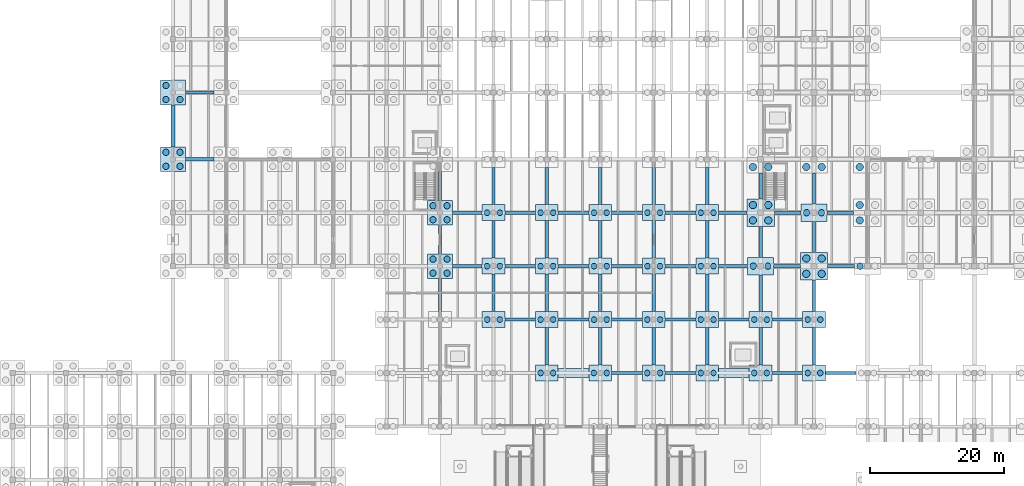
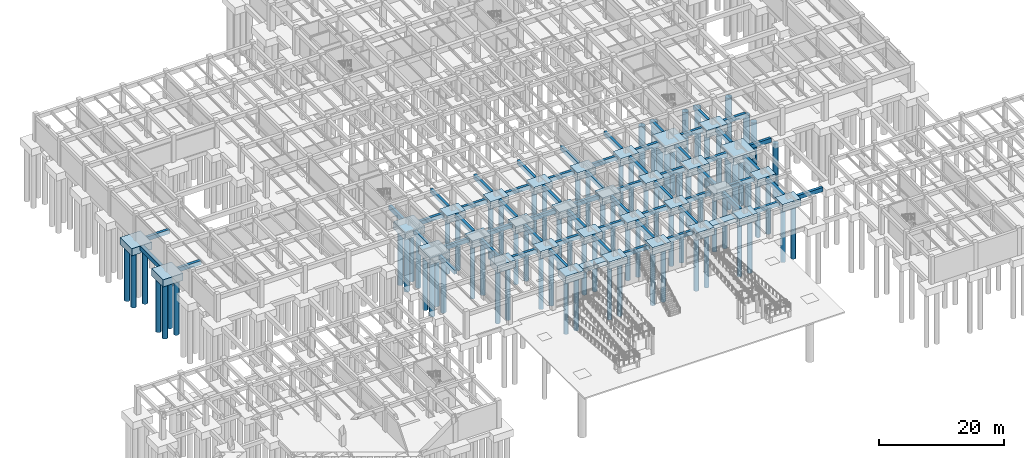
# One storey, part 3 of 44: 92 footings, 81 piles.
"""IFC4 building model written with IfcOpenShell, lengths in metres."""

import ifcopenshell
import ifcopenshell.guid

model = None  # the IFC model being written
_history = None  # IfcOwnerHistory: only IFC2X3 demands one
_inside = {}  # id of a spatial element -> (the spatial element, [elements in it])
_under = {}  # id of a project, library or spatial element -> (it, [spatial elements below it])
_declared = {}  # id of a project -> (the project, [libraries it declares])
_typed = {}  # id of a type object -> (the type object, [elements of that type])
_made_of = {}  # id of a material, layer set ... -> (it, [elements and type objects made of it])


def new_model(schema):
    """Start an empty IFC model of exactly this schema.

    Asked for "IFC4X3", IfcOpenShell would pick the latest addendum, in which some entities
    have other attributes; the version numbers below select the first issue.
    IFC2X3 requires an IfcOwnerHistory on every rooted entity: one is made here for all.
    """
    global model, _history
    if schema == "IFC4X3":
        model = ifcopenshell.file(schema_version=(4, 3, 0, 0))
    else:
        model = ifcopenshell.file(schema=schema)
    _inside.clear()
    _under.clear()
    _declared.clear()
    _typed.clear()
    _made_of.clear()
    _history = None
    if model.schema == "IFC2X3":
        org = make("IfcOrganization", Name="unknown")
        user = make(
            "IfcPersonAndOrganization",
            ThePerson=make("IfcPerson", FamilyName="unknown"),
            TheOrganization=org,
        )
        app = make(
            "IfcApplication",
            ApplicationDeveloper=org,
            Version="unknown",
            ApplicationFullName="unknown",
            ApplicationIdentifier="unknown",
        )
        _history = make(
            "IfcOwnerHistory",
            OwningUser=user,
            OwningApplication=app,
            ChangeAction="ADDED",
            CreationDate=0,
        )
    return model


def make(cls, **values):
    """One entity of the class cls with the attributes given. An attribute that is None is left unset."""
    return model.create_entity(
        cls, **{name: value for name, value in values.items() if value is not None}
    )


def rooted(cls, **values):
    """An entity with a GlobalId (a new one), such as an element, a storey or a relation."""
    return make(cls, GlobalId=ifcopenshell.guid.new(), OwnerHistory=_history, **values)


def si_unit(unit_type, name, prefix=None):
    """IfcSIUnit, for example si_unit("LENGTHUNIT", "METRE", prefix="MILLI")."""
    return make("IfcSIUnit", UnitType=unit_type, Prefix=prefix, Name=name)


def assignment(units):
    """IfcUnitAssignment: the units of a project."""
    return None if units is None else make("IfcUnitAssignment", Units=units)


def point(xyz):
    """IfcCartesianPoint."""
    return None if xyz is None else make("IfcCartesianPoint", Coordinates=xyz)


def direction(xyz):
    """IfcDirection."""
    return None if xyz is None else make("IfcDirection", DirectionRatios=xyz)


def frame(location, z_axis=None, x_axis=None):
    """IfcAxis2Placement3D, a coordinate frame: its origin and axes. An axis left out is left unset."""
    return make(
        "IfcAxis2Placement3D",
        Location=point(location),
        Axis=direction(z_axis),
        RefDirection=direction(x_axis),
    )


def frame_2d(location, x_axis=None):
    """IfcAxis2Placement2D, a coordinate frame in the plane: its origin and x axis."""
    return make(
        "IfcAxis2Placement2D", Location=point(location), RefDirection=direction(x_axis)
    )


def origin():
    """The frame at (0, 0, 0) with its axes left unset."""
    return frame((0.0, 0.0, 0.0))


def origin_2d():
    """The frame at (0, 0) in the plane with its x axis left unset."""
    return frame_2d((0.0, 0.0))


def place(relative_to, where):
    """IfcLocalPlacement: puts the frame where relative to a parent placement (None: the world)."""
    return make(
        "IfcLocalPlacement", PlacementRelTo=relative_to, RelativePlacement=where
    )


def context(
    kind, dimensions, precision=None, world=None, true_north=None, identifier=None
):
    """IfcGeometricRepresentationContext, for example the 3D "Model" context."""
    return make(
        "IfcGeometricRepresentationContext",
        ContextIdentifier=identifier,
        ContextType=kind,
        CoordinateSpaceDimension=dimensions,
        Precision=precision,
        WorldCoordinateSystem=world,
        TrueNorth=true_north,
    )


def subcontext(parent, identifier, kind, view, scale=None):
    """IfcGeometricRepresentationSubContext, for example "Body" below "Model"."""
    return make(
        "IfcGeometricRepresentationSubContext",
        ContextIdentifier=identifier,
        ContextType=kind,
        ParentContext=parent,
        TargetScale=scale,
        TargetView=view,
    )


def project(units=None, contexts=None):
    """IfcProject with its units and contexts."""
    return rooted(
        "IfcProject",
        Name="project",
        RepresentationContexts=contexts,
        UnitsInContext=assignment(units),
    )


def spatial(cls, under=None, at=None, **own):
    """A site, building, storey or space (cls), placed at a placement, below another one or the project."""
    s = rooted(cls, ObjectPlacement=at, **own)
    if under is not None:
        _under.setdefault(under.id(), (under, []))[1].append(s)
    return s


def profile(cls, at=None, kind="AREA", **sizes):
    """A parametric profile (cls). Its sizes go by their IFC names, for example OverallWidth=200.0."""
    return make(cls, ProfileType=kind, Position=at, **sizes)


def rectangle(**sizes):
    """IfcRectangleProfileDef."""
    return profile("IfcRectangleProfileDef", **sizes)


def circle(**sizes):
    """IfcCircleProfileDef."""
    return profile("IfcCircleProfileDef", **sizes)


def extrude(swept, where, along, depth):
    """IfcExtrudedAreaSolid: the profile swept, set in the frame where, extruded along a direction by depth."""
    return make(
        "IfcExtrudedAreaSolid",
        SweptArea=swept,
        Position=where,
        ExtrudedDirection=direction(along),
        Depth=depth,
    )


def shape(context_of_items, identifier, shape_type, items):
    """IfcShapeRepresentation: the items that make up one representation, for example the "Body"."""
    return make(
        "IfcShapeRepresentation",
        ContextOfItems=context_of_items,
        RepresentationIdentifier=identifier,
        RepresentationType=shape_type,
        Items=items,
    )


def material(Name=None, Category=None):
    """IfcMaterial."""
    return make("IfcMaterial", Name=Name, Category=Category)


def material_profile(
    of_material, cross_section, Name=None, Category=None, Priority=None
):
    """IfcMaterialProfile: a cross section and its material."""
    return make(
        "IfcMaterialProfile",
        Name=Name,
        Material=of_material,
        Profile=cross_section,
        Priority=Priority,
        Category=Category,
    )


def profile_set(profiles, Name=None, composite=None):
    """IfcMaterialProfileSet."""
    return make(
        "IfcMaterialProfileSet",
        Name=Name,
        MaterialProfiles=profiles,
        CompositeProfile=composite,
    )


def made_of(thing, what):
    """Note that an element or type object is made of a material, layer set ...; save() writes the relation."""
    if what is not None:
        _made_of.setdefault(what.id(), (what, []))[1].append(thing)
    return thing


def type_object(cls, material=None, **own):
    """A type object (cls), such as IfcWallType, which elements share."""
    return made_of(rooted(cls, **own), material)


def element(
    cls,
    number,
    at=None,
    inside=None,
    cuts=None,
    type_object=None,
    material=None,
    context=None,
    identifier="Body",
    shape_type=None,
    held_by="IfcProductDefinitionShape",
    body=None,
    shapes=None,
    **own,
):
    """One element of the class cls, such as IfcWall. Its Tag is "e" and its number.

    at: its placement. inside: the storey or other place that contains it. cuts: it is an
    opening in that element (IfcRelVoidsElement). A single representation is given by context,
    identifier, shape_type and body (its items); several are given by shapes. held_by: the class
    of the entity that holds the representations. save() writes the other relations.
    """
    e = rooted(cls, Tag="e%d" % number, ObjectPlacement=at, **own)
    if body is not None:
        shapes = [shape(context, identifier, shape_type, body)]
    if shapes is not None:
        e.Representation = make(held_by, Representations=shapes)
    if inside is not None:
        _inside.setdefault(inside.id(), (inside, []))[1].append(e)
    if cuts is not None:
        rooted(
            "IfcRelVoidsElement", RelatingBuildingElement=cuts, RelatedOpeningElement=e
        )
    if type_object is not None:
        _typed.setdefault(type_object.id(), (type_object, []))[1].append(e)
    return made_of(e, material)


def aggregate(whole, parts):
    """IfcRelAggregates: a whole, such as a stair, and the parts it consists of."""
    return rooted("IfcRelAggregates", RelatingObject=whole, RelatedObjects=parts)


def save(model, path):
    """Write the relations noted so far, then the file.

    IfcRelAggregates (storeys below a building ...), IfcRelContainedInSpatialStructure (elements
    in a storey), IfcRelDefinesByType, IfcRelAssociatesMaterial and IfcRelDeclares: one each for
    every whole, place, type object, material and project.
    """
    for whole, parts in _under.values():
        aggregate(whole, parts)
    for where, things in _inside.values():
        rooted(
            "IfcRelContainedInSpatialStructure",
            RelatedElements=things,
            RelatingStructure=where,
        )
    for kind, things in _typed.values():
        rooted("IfcRelDefinesByType", RelatedObjects=things, RelatingType=kind)
    for what, things in _made_of.values():
        rooted("IfcRelAssociatesMaterial", RelatedObjects=things, RelatingMaterial=what)
    for by, libraries in _declared.values():
        rooted("IfcRelDeclares", RelatingContext=by, RelatedDefinitions=libraries)
    model.write(path)


model = new_model("IFC4")

# Units and contexts
model_context = context("Model", 3, precision=1e-05, world=origin(), true_north=direction((0.0, 1.0)))
body_context = subcontext(model_context, "Body", "Model", "MODEL_VIEW")
ifc_project = project(units=[si_unit("LENGTHUNIT", "METRE"), si_unit("AREAUNIT", "SQUARE_METRE"), si_unit("VOLUMEUNIT", "CUBIC_METRE"), si_unit("PLANEANGLEUNIT", "RADIAN"), si_unit("MASSUNIT", "GRAM", prefix="KILO")], contexts=[model_context])

# Site, building, storey
site_placement = place(None, origin())
site = spatial("IfcSite", under=ifc_project, at=site_placement, CompositionType="ELEMENT")
building_placement = place(site_placement, origin())
building = spatial("IfcBuilding", under=site, at=building_placement, Name="Pecanmere Concourse Central Library", CompositionType="ELEMENT")
storey_placement = place(building_placement, frame((0.0, 0.0, -5.39990234375)))
storey = spatial("IfcBuildingStorey", under=building, at=storey_placement, Name="B1", CompositionType="ELEMENT", Elevation=-5.39990234375)

# Footings
ifc_material_1 = material(Name="Concrete C40/50", Category="concrete")
ifc_material_profile_1 = material_profile(ifc_material_1, rectangle(XDim=0.5, YDim=0.800048828125, at=origin_2d()), Name="RC 500x800")
ifc_profile_set_1 = profile_set([ifc_material_profile_1], Name="Concrete C40/50")
footing_type_1 = type_object("IfcFootingType", Name="GBEAM_500x800", PredefinedType="FOOTING_BEAM", material=ifc_profile_set_1)
for number, where, z_axis, x_axis, name in (
    (1, (92.0, 32.0, -0.80029296875), (0.0, 0.0, 1.0), (1.0, 0.0, 0.0), "Foundation Tie Beam X-070"),
    (2, (100.0, 32.0, -0.80029296875), (0.0, 0.0, 1.0), (1.0, 0.0, 0.0), "Foundation Tie Beam X-071"),
    (3, (116.0, 32.0, -0.80029296875), (0.0, 0.0, 1.0), (1.0, 0.0, 0.0), "Foundation Tie Beam X-073"),
    (4, (124.0, 32.0, -0.80029296875), (0.0, 0.0, 1.0), (1.0, 0.0, 0.0), "Foundation Tie Beam X-074"),
    (5, (76.0, 40.0, -0.80029296875), (0.0, 0.0, 1.0), (1.0, 0.0, 0.0), "Foundation Tie Beam X-083"),
    (6, (84.0, 40.0, -0.80029296875), (0.0, 0.0, 1.0), (1.0, 0.0, 0.0), "Foundation Tie Beam X-084"),
    (7, (92.0, 40.0, -0.80029296875), (0.0, 0.0, 1.0), (1.0, 0.0, 0.0), "Foundation Tie Beam X-085"),
    (8, (100.0, 40.0, -0.80029296875), (0.0, 0.0, 1.0), (1.0, 0.0, 0.0), "Foundation Tie Beam X-086"),
    (9, (108.0, 40.0, -0.80029296875), (0.0, 0.0, 1.0), (1.0, 0.0, 0.0), "Foundation Tie Beam X-087"),
    (10, (116.0, 40.0, -0.80029296875), (0.0, 0.0, 1.0), (1.0, 0.0, 0.0), "Foundation Tie Beam X-088"),
):
    element("IfcFooting", number, at=place(storey_placement, frame(where, z_axis=z_axis, x_axis=x_axis)), inside=storey, type_object=footing_type_1, Name=name, PredefinedType="FOOTING_BEAM", context=body_context, shape_type="SweptSolid", body=[
        extrude(rectangle(XDim=4.60009765625, YDim=0.5, at=origin_2d()), origin(), (0.0, 0.0, 1.0), 0.800048828125),
    ])
footing_1_placement = place(storey_placement, frame((68.074951171875, 48.0, -0.80029296875), z_axis=(0.0, 0.0, 1.0), x_axis=(1.0, 0.0, 0.0)))
element("IfcFooting", 11, at=footing_1_placement, inside=storey, type_object=footing_type_1, Name="Foundation Tie Beam X-094", PredefinedType="FOOTING_BEAM", context=body_context, shape_type="SweptSolid", body=[
    extrude(rectangle(XDim=4.449951171875, YDim=0.5, at=origin_2d()), origin(), (0.0, 0.0, 1.0), 0.800048828125),
])
for number, where, z_axis, x_axis, name in (
    (12, (76.0, 48.0, -0.80029296875), (0.0, 0.0, 1.0), (1.0, 0.0, 0.0), "Foundation Tie Beam X-095"),
    (13, (84.0, 48.0, -0.80029296875), (0.0, 0.0, 1.0), (1.0, 0.0, 0.0), "Foundation Tie Beam X-096"),
    (14, (92.0, 48.0, -0.80029296875), (0.0, 0.0, 1.0), (1.0, 0.0, 0.0), "Foundation Tie Beam X-097"),
    (15, (100.0, 48.0, -0.80029296875), (0.0, 0.0, 1.0), (1.0, 0.0, 0.0), "Foundation Tie Beam X-098"),
):
    element("IfcFooting", number, at=place(storey_placement, frame(where, z_axis=z_axis, x_axis=x_axis)), inside=storey, type_object=footing_type_1, Name=name, PredefinedType="FOOTING_BEAM", context=body_context, shape_type="SweptSolid", body=[
        extrude(rectangle(XDim=4.60009765625, YDim=0.5, at=origin_2d()), origin(), (0.0, 0.0, 1.0), 0.800048828125),
    ])
footing_2_placement = place(storey_placement, frame((107.875, 48.0, -0.80029296875), z_axis=(0.0, 0.0, 1.0), x_axis=(1.0, 0.0, 0.0)))
element("IfcFooting", 16, at=footing_2_placement, inside=storey, type_object=footing_type_1, Name="Foundation Tie Beam X-099", PredefinedType="FOOTING_BEAM", context=body_context, shape_type="SweptSolid", body=[
    extrude(rectangle(XDim=4.35009765625, YDim=0.5, at=origin_2d()), origin(), (0.0, 0.0, 1.0), 0.800048828125),
])
for number, where, z_axis, x_axis, name in (
    (17, (115.949951171875, 48.0, -0.80029296875), (0.0, 0.0, 1.0), (1.0, 0.0, 0.0), "Foundation Tie Beam X-100"),
    (18, (124.050048828125, 48.0, -0.80029296875), (0.0, 0.0, 1.0), (1.0, 0.0, 0.0), "Foundation Tie Beam X-101"),
):
    element("IfcFooting", number, at=place(storey_placement, frame(where, z_axis=z_axis, x_axis=x_axis)), inside=storey, type_object=footing_type_1, Name=name, PredefinedType="FOOTING_BEAM", context=body_context, shape_type="SweptSolid", body=[
        extrude(rectangle(XDim=4.0, YDim=0.5, at=origin_2d()), origin(), (0.0, 0.0, 1.0), 0.800048828125),
    ])
footing_3_placement = place(storey_placement, frame((68.074951171875, 56.0, -0.80029296875), z_axis=(0.0, 0.0, 1.0), x_axis=(1.0, 0.0, 0.0)))
element("IfcFooting", 19, at=footing_3_placement, inside=storey, type_object=footing_type_1, Name="Foundation Tie Beam X-110", PredefinedType="FOOTING_BEAM", context=body_context, shape_type="SweptSolid", body=[
    extrude(rectangle(XDim=4.449951171875, YDim=0.5, at=origin_2d()), origin(), (0.0, 0.0, 1.0), 0.800048828125),
])
for number, where, z_axis, x_axis, name in (
    (20, (76.0, 56.0, -0.80029296875), (0.0, 0.0, 1.0), (1.0, 0.0, 0.0), "Foundation Tie Beam X-111"),
    (21, (84.0, 56.0, -0.80029296875), (0.0, 0.0, 1.0), (1.0, 0.0, 0.0), "Foundation Tie Beam X-112"),
    (22, (92.0, 56.0, -0.80029296875), (0.0, 0.0, 1.0), (1.0, 0.0, 0.0), "Foundation Tie Beam X-113"),
    (23, (100.0, 56.0, -0.80029296875), (0.0, 0.0, 1.0), (1.0, 0.0, 0.0), "Foundation Tie Beam X-114"),
):
    element("IfcFooting", number, at=place(storey_placement, frame(where, z_axis=z_axis, x_axis=x_axis)), inside=storey, type_object=footing_type_1, Name=name, PredefinedType="FOOTING_BEAM", context=body_context, shape_type="SweptSolid", body=[
        extrude(rectangle(XDim=4.60009765625, YDim=0.5, at=origin_2d()), origin(), (0.0, 0.0, 1.0), 0.800048828125),
    ])
footing_4_placement = place(storey_placement, frame((107.824951171875, 56.0, -0.80029296875), z_axis=(0.0, 0.0, 1.0), x_axis=(1.0, 0.0, 0.0)))
element("IfcFooting", 24, at=footing_4_placement, inside=storey, type_object=footing_type_1, Name="Foundation Tie Beam X-115", PredefinedType="FOOTING_BEAM", context=body_context, shape_type="SweptSolid", body=[
    extrude(rectangle(XDim=4.25, YDim=0.5, at=origin_2d()), origin(), (0.0, 0.0, 1.0), 0.800048828125),
])
for number, where, z_axis, x_axis, name in (
    (25, (116.050048828125, 56.0, -0.80029296875), (0.0, 0.0, 1.0), (1.0, 0.0, 0.0), "Foundation Tie Beam X-116"),
    (26, (123.949951171875, 56.0, -0.80029296875), (0.0, 0.0, 1.0), (1.0, 0.0, 0.0), "Foundation Tie Beam X-117"),
):
    element("IfcFooting", number, at=place(storey_placement, frame(where, z_axis=z_axis, x_axis=x_axis)), inside=storey, type_object=footing_type_1, Name=name, PredefinedType="FOOTING_BEAM", context=body_context, shape_type="SweptSolid", body=[
        extrude(rectangle(XDim=4.0, YDim=0.5, at=origin_2d()), origin(), (0.0, 0.0, 1.0), 0.800048828125),
    ])
for number, where, z_axis, x_axis, name in (
    (27, (28.0, 64.0, -0.80029296875), (0.0, 0.0, 1.0), (1.0, 0.0, 0.0), "Foundation Tie Beam X-121"),
    (28, (28.0, 74.0, -0.80029296875), (0.0, 0.0, 1.0), (1.0, 0.0, 0.0), "Foundation Tie Beam X-137"),
):
    element("IfcFooting", number, at=place(storey_placement, frame(where, z_axis=z_axis, x_axis=x_axis)), inside=storey, type_object=footing_type_1, Name=name, PredefinedType="FOOTING_BEAM", context=body_context, shape_type="SweptSolid", body=[
        extrude(rectangle(XDim=4.300048828125, YDim=0.5, at=origin_2d()), origin(), (0.0, 0.0, 1.0), 0.800048828125),
    ])
footing_5_placement = place(storey_placement, frame((64.0, 43.675048828125, -0.80029296875), z_axis=(0.0, 0.0, 1.0), x_axis=(0.0, 1.0, 0.0)))
element("IfcFooting", 29, at=footing_5_placement, inside=storey, type_object=footing_type_1, Name="Foundation Tie Beam Y-290", PredefinedType="FOOTING_BEAM", context=body_context, shape_type="SweptSolid", body=[
    extrude(rectangle(XDim=4.949951171875, YDim=0.5, at=origin_2d()), origin(), (0.0, 0.0, 1.0), 0.800048828125),
])
for number, where, z_axis, x_axis, name in (
    (30, (64.0, 52.0, -0.80029296875), (0.0, 0.0, 1.0), (0.0, 1.0, 0.0), "Foundation Tie Beam Y-291"),
    (31, (64.0, 60.0, -0.80029296875), (0.0, 0.0, 1.0), (0.0, 1.0, 0.0), "Foundation Tie Beam Y-292"),
):
    element("IfcFooting", number, at=place(storey_placement, frame(where, z_axis=z_axis, x_axis=x_axis)), inside=storey, type_object=footing_type_1, Name=name, PredefinedType="FOOTING_BEAM", context=body_context, shape_type="SweptSolid", body=[
        extrude(rectangle(XDim=4.300048828125, YDim=0.5, at=origin_2d()), origin(), (0.0, 0.0, 1.0), 0.800048828125),
    ])
for number, where, z_axis, x_axis, name in (
    (32, (72.0, 44.0, -0.80029296875), (0.0, 0.0, 1.0), (0.0, 1.0, 0.0), "Foundation Tie Beam Y-300"),
    (33, (72.0, 52.0, -0.80029296875), (0.0, 0.0, 1.0), (0.0, 1.0, 0.0), "Foundation Tie Beam Y-301"),
    (34, (72.0, 60.0, -0.80029296875), (0.0, 0.0, 1.0), (0.0, 1.0, 0.0), "Foundation Tie Beam Y-302"),
    (35, (80.0, 36.0, -0.80029296875), (0.0, 0.0, 1.0), (0.0, 1.0, 0.0), "Foundation Tie Beam Y-311"),
    (36, (80.0, 44.0, -0.80029296875), (0.0, 0.0, 1.0), (0.0, 1.0, 0.0), "Foundation Tie Beam Y-312"),
    (37, (80.0, 52.0, -0.80029296875), (0.0, 0.0, 1.0), (0.0, 1.0, 0.0), "Foundation Tie Beam Y-313"),
    (38, (80.0, 60.0, -0.80029296875), (0.0, 0.0, 1.0), (0.0, 1.0, 0.0), "Foundation Tie Beam Y-314"),
    (39, (88.0, 36.0, -0.80029296875), (0.0, 0.0, 1.0), (0.0, 1.0, 0.0), "Foundation Tie Beam Y-323"),
    (40, (88.0, 44.0, -0.80029296875), (0.0, 0.0, 1.0), (0.0, 1.0, 0.0), "Foundation Tie Beam Y-324"),
    (41, (88.0, 52.0, -0.80029296875), (0.0, 0.0, 1.0), (0.0, 1.0, 0.0), "Foundation Tie Beam Y-325"),
    (42, (88.0, 60.0, -0.80029296875), (0.0, 0.0, 1.0), (0.0, 1.0, 0.0), "Foundation Tie Beam Y-326"),
    (43, (96.0, 36.0, -0.80029296875), (0.0, 0.0, 1.0), (0.0, 1.0, 0.0), "Foundation Tie Beam Y-335"),
    (44, (96.0, 44.0, -0.80029296875), (0.0, 0.0, 1.0), (0.0, 1.0, 0.0), "Foundation Tie Beam Y-336"),
    (45, (96.0, 52.0, -0.80029296875), (0.0, 0.0, 1.0), (0.0, 1.0, 0.0), "Foundation Tie Beam Y-337"),
    (46, (96.0, 60.0, -0.80029296875), (0.0, 0.0, 1.0), (0.0, 1.0, 0.0), "Foundation Tie Beam Y-338"),
    (47, (104.0, 36.0, -0.80029296875), (0.0, 0.0, 1.0), (0.0, 1.0, 0.0), "Foundation Tie Beam Y-347"),
    (48, (104.0, 44.0, -0.80029296875), (0.0, 0.0, 1.0), (0.0, 1.0, 0.0), "Foundation Tie Beam Y-348"),
    (49, (104.0, 52.0, -0.80029296875), (0.0, 0.0, 1.0), (0.0, 1.0, 0.0), "Foundation Tie Beam Y-349"),
    (50, (104.0, 60.0, -0.80029296875), (0.0, 0.0, 1.0), (0.0, 1.0, 0.0), "Foundation Tie Beam Y-350"),
    (51, (112.0, 36.0, -0.80029296875), (0.0, 0.0, 1.0), (0.0, 1.0, 0.0), "Foundation Tie Beam Y-359"),
):
    element("IfcFooting", number, at=place(storey_placement, frame(where, z_axis=z_axis, x_axis=x_axis)), inside=storey, type_object=footing_type_1, Name=name, PredefinedType="FOOTING_BEAM", context=body_context, shape_type="SweptSolid", body=[
        extrude(rectangle(XDim=5.60009765625, YDim=0.5, at=origin_2d()), origin(), (0.0, 0.0, 1.0), 0.800048828125),
    ])
footing_6_placement = place(storey_placement, frame((112.0, 43.949951171875, -0.80029296875), z_axis=(0.0, 0.0, 1.0), x_axis=(0.0, 1.0, 0.0)))
element("IfcFooting", 52, at=footing_6_placement, inside=storey, type_object=footing_type_1, Name="Foundation Tie Beam Y-360", PredefinedType="FOOTING_BEAM", context=body_context, shape_type="SweptSolid", body=[
    extrude(rectangle(XDim=5.5, YDim=0.5, at=origin_2d()), origin(), (0.0, 0.0, 1.0), 0.800048828125),
])
footing_7_placement = place(storey_placement, frame((112.0, 51.625, -0.80029296875), z_axis=(0.0, 0.0, 1.0), x_axis=(0.0, 1.0, 0.0)))
element("IfcFooting", 53, at=footing_7_placement, inside=storey, type_object=footing_type_1, Name="Foundation Tie Beam Y-361", PredefinedType="FOOTING_BEAM", context=body_context, shape_type="SweptSolid", body=[
    extrude(rectangle(XDim=4.64990234375, YDim=0.5, at=origin_2d()), origin(), (0.0, 0.0, 1.0), 0.800048828125),
])
footing_8_placement = place(storey_placement, frame((112.0, 60.0, -0.80029296875), z_axis=(0.0, 0.0, 1.0), x_axis=(0.0, 1.0, 0.0)))
element("IfcFooting", 54, at=footing_8_placement, inside=storey, type_object=footing_type_1, Name="Foundation Tie Beam Y-362", PredefinedType="FOOTING_BEAM", context=body_context, shape_type="SweptSolid", body=[
    extrude(rectangle(XDim=3.89990234375, YDim=0.5, at=origin_2d()), origin(), (0.0, 0.0, 1.0), 0.800048828125),
])
footing_9_placement = place(storey_placement, frame((120.0, 36.0, -0.80029296875), z_axis=(0.0, 0.0, 1.0), x_axis=(0.0, 1.0, 0.0)))
element("IfcFooting", 55, at=footing_9_placement, inside=storey, type_object=footing_type_1, Name="Foundation Tie Beam Y-369", PredefinedType="FOOTING_BEAM", context=body_context, shape_type="SweptSolid", body=[
    extrude(rectangle(XDim=5.60009765625, YDim=0.5, at=origin_2d()), origin(), (0.0, 0.0, 1.0), 0.800048828125),
])
footing_10_placement = place(storey_placement, frame((120.0, 43.574951171875, -0.80029296875), z_axis=(0.0, 0.0, 1.0), x_axis=(0.0, 1.0, 0.0)))
element("IfcFooting", 56, at=footing_10_placement, inside=storey, type_object=footing_type_1, Name="Foundation Tie Beam Y-370", PredefinedType="FOOTING_BEAM", context=body_context, shape_type="SweptSolid", body=[
    extrude(rectangle(XDim=4.75, YDim=0.5, at=origin_2d()), origin(), (0.0, 0.0, 1.0), 0.800048828125),
])
for number, where, z_axis, x_axis, name in (
    (57, (120.0, 52.375, -0.80029296875), (0.0, 0.0, 1.0), (0.0, 1.0, 0.0), "Foundation Tie Beam Y-371"),
    (58, (120.0, 59.625, -0.80029296875), (0.0, 0.0, 1.0), (0.0, 1.0, 0.0), "Foundation Tie Beam Y-372"),
):
    element("IfcFooting", number, at=place(storey_placement, frame(where, z_axis=z_axis, x_axis=x_axis)), inside=storey, type_object=footing_type_1, Name=name, PredefinedType="FOOTING_BEAM", context=body_context, shape_type="SweptSolid", body=[
        extrude(rectangle(XDim=4.64990234375, YDim=0.5, at=origin_2d()), origin(), (0.0, 0.0, 1.0), 0.800048828125),
    ])
ifc_material_2 = material(Name="Concrete C40/50", Category="concrete")
ifc_material_profile_2 = material_profile(ifc_material_2, rectangle(XDim=0.60009765625, YDim=0.89990234375, at=origin_2d()), Name="RC 600x900")
ifc_profile_set_2 = profile_set([ifc_material_profile_2], Name="Concrete C40/50")
footing_type_2 = type_object("IfcFootingType", Name="GBEAM_600x900", PredefinedType="FOOTING_BEAM", material=ifc_profile_set_2)
footing_11_placement = place(storey_placement, frame((24.0, 69.0, -0.900146484375), z_axis=(0.0, 0.0, 1.0), x_axis=(0.0, 1.0, 0.0)))
element("IfcFooting", 59, at=footing_11_placement, inside=storey, type_object=footing_type_2, Name="Foundation Tie Beam Y-240", PredefinedType="FOOTING_BEAM", context=body_context, shape_type="SweptSolid", body=[
    extrude(rectangle(XDim=6.300048828125, YDim=0.60009765625, at=origin_2d()), origin(), (0.0, 0.0, 1.0), 0.89990234375),
])
ifc_material_3 = material(Name="Concrete C40/50", Category="concrete")
footing_type_3 = type_object("IfcFootingType", Name="PCAP_3400x2400", PredefinedType="PILE_CAP", material=ifc_material_3)
for number, where, z_axis, x_axis, name in (
    (60, (72.0, 40.0, -1.400146484375), (0.0, 0.0, 1.0), (1.0, 0.0, 0.0), "Drilled Pier Cap PC-05 at (72,40)"),
    (61, (72.0, 48.0, -1.400146484375), (0.0, 0.0, 1.0), (1.0, 0.0, 0.0), "Drilled Pier Cap PC-05 at (72,48)"),
    (62, (72.0, 56.0, -1.400146484375), (0.0, 0.0, 1.0), (1.0, 0.0, 0.0), "Drilled Pier Cap PC-05 at (72,56)"),
    (63, (80.0, 32.0, -1.400146484375), (0.0, 0.0, 1.0), (1.0, 0.0, 0.0), "Drilled Pier Cap PC-05 at (80,32)"),
    (64, (80.0, 40.0, -1.400146484375), (0.0, 0.0, 1.0), (1.0, 0.0, 0.0), "Drilled Pier Cap PC-05 at (80,40)"),
    (65, (80.0, 48.0, -1.400146484375), (0.0, 0.0, 1.0), (1.0, 0.0, 0.0), "Drilled Pier Cap PC-05 at (80,48)"),
    (66, (80.0, 56.0, -1.400146484375), (0.0, 0.0, 1.0), (1.0, 0.0, 0.0), "Drilled Pier Cap PC-05 at (80,56)"),
    (67, (88.0, 32.0, -1.400146484375), (0.0, 0.0, 1.0), (1.0, 0.0, 0.0), "Drilled Pier Cap PC-05 at (88,32)"),
    (68, (88.0, 40.0, -1.400146484375), (0.0, 0.0, 1.0), (1.0, 0.0, 0.0), "Drilled Pier Cap PC-05 at (88,40)"),
    (69, (88.0, 48.0, -1.400146484375), (0.0, 0.0, 1.0), (1.0, 0.0, 0.0), "Drilled Pier Cap PC-05 at (88,48)"),
    (70, (88.0, 56.0, -1.400146484375), (0.0, 0.0, 1.0), (1.0, 0.0, 0.0), "Drilled Pier Cap PC-05 at (88,56)"),
    (71, (96.0, 32.0, -1.400146484375), (0.0, 0.0, 1.0), (1.0, 0.0, 0.0), "Drilled Pier Cap PC-05 at (96,32)"),
    (72, (96.0, 40.0, -1.400146484375), (0.0, 0.0, 1.0), (1.0, 0.0, 0.0), "Drilled Pier Cap PC-05 at (96,40)"),
    (73, (96.0, 48.0, -1.400146484375), (0.0, 0.0, 1.0), (1.0, 0.0, 0.0), "Drilled Pier Cap PC-05 at (96,48)"),
    (74, (96.0, 56.0, -1.400146484375), (0.0, 0.0, 1.0), (1.0, 0.0, 0.0), "Drilled Pier Cap PC-05 at (96,56)"),
    (75, (104.0, 32.0, -1.400146484375), (0.0, 0.0, 1.0), (1.0, 0.0, 0.0), "Drilled Pier Cap PC-05 at (104,32)"),
    (76, (104.0, 40.0, -1.400146484375), (0.0, 0.0, 1.0), (1.0, 0.0, 0.0), "Drilled Pier Cap PC-05 at (104,40)"),
    (77, (104.0, 48.0, -1.400146484375), (0.0, 0.0, 1.0), (1.0, 0.0, 0.0), "Drilled Pier Cap PC-05 at (104,48)"),
    (78, (104.0, 56.0, -1.400146484375), (0.0, 0.0, 1.0), (1.0, 0.0, 0.0), "Drilled Pier Cap PC-05 at (104,56)"),
    (79, (112.0, 32.0, -1.400146484375), (0.0, 0.0, 1.0), (1.0, 0.0, 0.0), "Drilled Pier Cap PC-05 at (112,32)"),
    (80, (112.0, 40.0, -1.400146484375), (0.0, 0.0, 1.0), (1.0, 0.0, 0.0), "Drilled Pier Cap PC-05 at (112,40)"),
    (81, (120.0, 32.0, -1.400146484375), (0.0, 0.0, 1.0), (1.0, 0.0, 0.0), "Drilled Pier Cap PC-05 at (120,32)"),
    (82, (120.0, 40.0, -1.400146484375), (0.0, 0.0, 1.0), (1.0, 0.0, 0.0), "Drilled Pier Cap PC-05 at (120,40)"),
):
    element("IfcFooting", number, at=place(storey_placement, frame(where, z_axis=z_axis, x_axis=x_axis)), inside=storey, type_object=footing_type_3, Name=name, PredefinedType="PILE_CAP", context=body_context, shape_type="SweptSolid", body=[
        extrude(rectangle(XDim=3.39990234375, YDim=2.39990234375, at=origin_2d()), origin(), (0.0, 0.0, 1.0), 1.39990234375),
    ])
ifc_material_4 = material(Name="Concrete C40/50", Category="concrete")
footing_type_4 = type_object("IfcFootingType", Name="PCAP_3700x3700", PredefinedType="PILE_CAP", material=ifc_material_4)
for number, where, z_axis, x_axis, name in (
    (83, (24.0, 64.0, -1.400146484375), (0.0, 0.0, 1.0), (1.0, 0.0, 0.0), "Drilled Pier Cap PC-03 at (24,64)"),
    (84, (24.0, 74.0, -1.400146484375), (0.0, 0.0, 1.0), (1.0, 0.0, 0.0), "Drilled Pier Cap PC-03 at (24,74)"),
    (85, (64.0, 48.0, -1.400146484375), (0.0, 0.0, 1.0), (1.0, 0.0, 0.0), "Drilled Pier Cap PC-03 at (64,48)"),
    (86, (64.0, 56.0, -1.400146484375), (0.0, 0.0, 1.0), (1.0, 0.0, 0.0), "Drilled Pier Cap PC-03 at (64,56)"),
):
    element("IfcFooting", number, at=place(storey_placement, frame(where, z_axis=z_axis, x_axis=x_axis)), inside=storey, type_object=footing_type_4, Name=name, PredefinedType="PILE_CAP", context=body_context, shape_type="SweptSolid", body=[
        extrude(rectangle(XDim=3.699951171875, YDim=3.699951171875, at=origin_2d()), origin(), (0.0, 0.0, 1.0), 1.39990234375),
    ])
ifc_material_5 = material(Name="Concrete C40/50", Category="concrete")
footing_type_5 = type_object("IfcFootingType", Name="PCAP_3900x2600", PredefinedType="PILE_CAP", material=ifc_material_5)
for number, where, z_axis, x_axis, name in (
    (87, (112.0, 48.0, -1.400146484375), (0.0, 0.0, 1.0), (1.0, 0.0, 0.0), "Drilled Pier Cap PC-04 at (112,48)"),
    (88, (120.0, 56.0, -1.400146484375), (0.0, 0.0, 1.0), (1.0, 0.0, 0.0), "Drilled Pier Cap PC-04 at (120,56)"),
):
    element("IfcFooting", number, at=place(storey_placement, frame(where, z_axis=z_axis, x_axis=x_axis)), inside=storey, type_object=footing_type_5, Name=name, PredefinedType="PILE_CAP", context=body_context, shape_type="SweptSolid", body=[
        extrude(rectangle(XDim=3.89990234375, YDim=2.60009765625, at=origin_2d()), origin(), (0.0, 0.0, 1.0), 1.39990234375),
    ])
ifc_material_6 = material(Name="Concrete C40/50", Category="concrete")
footing_type_6 = type_object("IfcFootingType", Name="PCAP_4100x4100", PredefinedType="PILE_CAP", material=ifc_material_6)
for number, where, z_axis, x_axis, name in (
    (89, (112.0, 56.0, -1.400146484375), (0.0, 0.0, 1.0), (1.0, 0.0, 0.0), "Drilled Pier Cap PC-02 at (112,56)"),
    (90, (120.0, 48.0, -1.400146484375), (0.0, 0.0, 1.0), (1.0, 0.0, 0.0), "Drilled Pier Cap PC-02 at (120,48)"),
):
    element("IfcFooting", number, at=place(storey_placement, frame(where, z_axis=z_axis, x_axis=x_axis)), inside=storey, type_object=footing_type_6, Name=name, PredefinedType="PILE_CAP", context=body_context, shape_type="SweptSolid", body=[
        extrude(rectangle(XDim=4.10009765625, YDim=4.10009765625, at=origin_2d()), origin(), (0.0, 0.0, 1.0), 1.39990234375),
    ])

# Piles
ifc_material_7 = material(Name="Concrete C35/45", Category="concrete")
ifc_material_profile_3 = material_profile(ifc_material_7, circle(Radius=0.550048828125, at=origin_2d()), Name="PIER D1100")
ifc_profile_set_3 = profile_set([ifc_material_profile_3], Name="Concrete C35/45")
pile_type_1 = type_object("IfcPileType", Name="PILE_D1100", PredefinedType="BORED", material=ifc_profile_set_3)
for number, where, z_axis, x_axis, name in (
    (91, (110.85009765625, 54.85009765625, -1.300048828125), (0.0, 0.0, -1.0), (1.0, 0.0, 0.0), "Bored Pier PL-03 157.1"),
    (92, (113.14990234375, 54.85009765625, -1.300048828125), (0.0, 0.0, -1.0), (1.0, 0.0, 0.0), "Bored Pier PL-03 157.2"),
    (93, (110.85009765625, 57.14990234375, -1.300048828125), (0.0, 0.0, -1.0), (1.0, 0.0, 0.0), "Bored Pier PL-03 157.3"),
    (94, (113.14990234375, 57.14990234375, -1.300048828125), (0.0, 0.0, -1.0), (1.0, 0.0, 0.0), "Bored Pier PL-03 157.4"),
    (95, (110.85009765625, 62.85009765625, -1.300048828125), (0.0, 0.0, -1.0), (1.0, 0.0, 0.0), "Bored Pier PL-03 158.1"),
    (96, (113.14990234375, 62.85009765625, -1.300048828125), (0.0, 0.0, -1.0), (1.0, 0.0, 0.0), "Bored Pier PL-03 158.2"),
    (97, (118.85009765625, 46.85009765625, -1.300048828125), (0.0, 0.0, -1.0), (1.0, 0.0, 0.0), "Bored Pier PL-03 167.1"),
    (98, (121.14990234375, 46.85009765625, -1.300048828125), (0.0, 0.0, -1.0), (1.0, 0.0, 0.0), "Bored Pier PL-03 167.2"),
    (99, (118.85009765625, 49.14990234375, -1.300048828125), (0.0, 0.0, -1.0), (1.0, 0.0, 0.0), "Bored Pier PL-03 167.3"),
    (100, (121.14990234375, 49.14990234375, -1.300048828125), (0.0, 0.0, -1.0), (1.0, 0.0, 0.0), "Bored Pier PL-03 167.4"),
    (101, (118.85009765625, 62.85009765625, -1.300048828125), (0.0, 0.0, -1.0), (1.0, 0.0, 0.0), "Bored Pier PL-03 169.1"),
    (102, (121.14990234375, 62.85009765625, -1.300048828125), (0.0, 0.0, -1.0), (1.0, 0.0, 0.0), "Bored Pier PL-03 169.2"),
    (103, (126.85009765625, 54.85009765625, -1.300048828125), (0.0, 0.0, -1.0), (1.0, 0.0, 0.0), "Bored Pier PL-03 181.1"),
    (104, (126.85009765625, 57.14990234375, -1.300048828125), (0.0, 0.0, -1.0), (1.0, 0.0, 0.0), "Bored Pier PL-03 181.3"),
    (105, (126.85009765625, 62.85009765625, -1.300048828125), (0.0, 0.0, -1.0), (1.0, 0.0, 0.0), "Bored Pier PL-03 182.1"),
):
    element("IfcPile", number, at=place(storey_placement, frame(where, z_axis=z_axis, x_axis=x_axis)), inside=storey, type_object=pile_type_1, Name=name, PredefinedType="BORED", context=body_context, shape_type="SweptSolid", body=[
        extrude(circle(Radius=0.550048828125, at=origin_2d()), origin(), (0.0, 0.0, 1.0), 10.699951171875),
    ])
ifc_material_8 = material(Name="Concrete C35/45", Category="concrete")
ifc_material_profile_4 = material_profile(ifc_material_8, circle(Radius=0.425048828125, at=origin_2d()), Name="PIER D850")
ifc_profile_set_4 = profile_set([ifc_material_profile_4], Name="Concrete C35/45")
pile_type_2 = type_object("IfcPileType", Name="PILE_D850", PredefinedType="BORED", material=ifc_profile_set_4)
for number, where, z_axis, x_axis, name in (
    (106, (71.050048828125, 40.0, -1.300048828125), (0.0, 0.0, -1.0), (1.0, 0.0, 0.0), "Bored Pier PL-05 090.1"),
    (107, (72.949951171875, 40.0, -1.300048828125), (0.0, 0.0, -1.0), (1.0, 0.0, 0.0), "Bored Pier PL-05 090.2"),
    (108, (71.050048828125, 48.0, -1.300048828125), (0.0, 0.0, -1.0), (1.0, 0.0, 0.0), "Bored Pier PL-05 091.1"),
    (109, (72.949951171875, 48.0, -1.300048828125), (0.0, 0.0, -1.0), (1.0, 0.0, 0.0), "Bored Pier PL-05 091.2"),
    (110, (71.050048828125, 56.0, -1.300048828125), (0.0, 0.0, -1.0), (1.0, 0.0, 0.0), "Bored Pier PL-05 092.1"),
    (111, (72.949951171875, 56.0, -1.300048828125), (0.0, 0.0, -1.0), (1.0, 0.0, 0.0), "Bored Pier PL-05 092.2"),
    (112, (79.050048828125, 32.0, -1.300048828125), (0.0, 0.0, -1.0), (1.0, 0.0, 0.0), "Bored Pier PL-05 102.1"),
    (113, (80.949951171875, 32.0, -1.300048828125), (0.0, 0.0, -1.0), (1.0, 0.0, 0.0), "Bored Pier PL-05 102.2"),
    (114, (79.050048828125, 40.0, -1.300048828125), (0.0, 0.0, -1.0), (1.0, 0.0, 0.0), "Bored Pier PL-05 103.1"),
    (115, (80.949951171875, 40.0, -1.300048828125), (0.0, 0.0, -1.0), (1.0, 0.0, 0.0), "Bored Pier PL-05 103.2"),
    (116, (79.050048828125, 48.0, -1.300048828125), (0.0, 0.0, -1.0), (1.0, 0.0, 0.0), "Bored Pier PL-05 104.1"),
    (117, (80.949951171875, 48.0, -1.300048828125), (0.0, 0.0, -1.0), (1.0, 0.0, 0.0), "Bored Pier PL-05 104.2"),
    (118, (79.050048828125, 56.0, -1.300048828125), (0.0, 0.0, -1.0), (1.0, 0.0, 0.0), "Bored Pier PL-05 105.1"),
    (119, (80.949951171875, 56.0, -1.300048828125), (0.0, 0.0, -1.0), (1.0, 0.0, 0.0), "Bored Pier PL-05 105.2"),
    (120, (87.050048828125, 32.0, -1.300048828125), (0.0, 0.0, -1.0), (1.0, 0.0, 0.0), "Bored Pier PL-05 115.1"),
    (121, (88.949951171875, 32.0, -1.300048828125), (0.0, 0.0, -1.0), (1.0, 0.0, 0.0), "Bored Pier PL-05 115.2"),
    (122, (87.050048828125, 40.0, -1.300048828125), (0.0, 0.0, -1.0), (1.0, 0.0, 0.0), "Bored Pier PL-05 116.1"),
    (123, (88.949951171875, 40.0, -1.300048828125), (0.0, 0.0, -1.0), (1.0, 0.0, 0.0), "Bored Pier PL-05 116.2"),
    (124, (87.050048828125, 48.0, -1.300048828125), (0.0, 0.0, -1.0), (1.0, 0.0, 0.0), "Bored Pier PL-05 117.1"),
    (125, (88.949951171875, 48.0, -1.300048828125), (0.0, 0.0, -1.0), (1.0, 0.0, 0.0), "Bored Pier PL-05 117.2"),
    (126, (87.050048828125, 56.0, -1.300048828125), (0.0, 0.0, -1.0), (1.0, 0.0, 0.0), "Bored Pier PL-05 118.1"),
    (127, (88.949951171875, 56.0, -1.300048828125), (0.0, 0.0, -1.0), (1.0, 0.0, 0.0), "Bored Pier PL-05 118.2"),
    (128, (95.050048828125, 32.0, -1.300048828125), (0.0, 0.0, -1.0), (1.0, 0.0, 0.0), "Bored Pier PL-05 128.1"),
    (129, (96.949951171875, 32.0, -1.300048828125), (0.0, 0.0, -1.0), (1.0, 0.0, 0.0), "Bored Pier PL-05 128.2"),
    (130, (95.050048828125, 40.0, -1.300048828125), (0.0, 0.0, -1.0), (1.0, 0.0, 0.0), "Bored Pier PL-05 129.1"),
    (131, (96.949951171875, 40.0, -1.300048828125), (0.0, 0.0, -1.0), (1.0, 0.0, 0.0), "Bored Pier PL-05 129.2"),
    (132, (95.050048828125, 48.0, -1.300048828125), (0.0, 0.0, -1.0), (1.0, 0.0, 0.0), "Bored Pier PL-05 130.1"),
    (133, (96.949951171875, 48.0, -1.300048828125), (0.0, 0.0, -1.0), (1.0, 0.0, 0.0), "Bored Pier PL-05 130.2"),
    (134, (95.050048828125, 56.0, -1.300048828125), (0.0, 0.0, -1.0), (1.0, 0.0, 0.0), "Bored Pier PL-05 131.1"),
    (135, (96.949951171875, 56.0, -1.300048828125), (0.0, 0.0, -1.0), (1.0, 0.0, 0.0), "Bored Pier PL-05 131.2"),
    (136, (103.050048828125, 32.0, -1.300048828125), (0.0, 0.0, -1.0), (1.0, 0.0, 0.0), "Bored Pier PL-05 141.1"),
    (137, (104.949951171875, 32.0, -1.300048828125), (0.0, 0.0, -1.0), (1.0, 0.0, 0.0), "Bored Pier PL-05 141.2"),
    (138, (103.050048828125, 40.0, -1.300048828125), (0.0, 0.0, -1.0), (1.0, 0.0, 0.0), "Bored Pier PL-05 142.1"),
    (139, (104.949951171875, 40.0, -1.300048828125), (0.0, 0.0, -1.0), (1.0, 0.0, 0.0), "Bored Pier PL-05 142.2"),
    (140, (103.050048828125, 48.0, -1.300048828125), (0.0, 0.0, -1.0), (1.0, 0.0, 0.0), "Bored Pier PL-05 143.1"),
    (141, (104.949951171875, 48.0, -1.300048828125), (0.0, 0.0, -1.0), (1.0, 0.0, 0.0), "Bored Pier PL-05 143.2"),
    (142, (103.050048828125, 56.0, -1.300048828125), (0.0, 0.0, -1.0), (1.0, 0.0, 0.0), "Bored Pier PL-05 144.1"),
    (143, (104.949951171875, 56.0, -1.300048828125), (0.0, 0.0, -1.0), (1.0, 0.0, 0.0), "Bored Pier PL-05 144.2"),
    (144, (111.050048828125, 32.0, -1.300048828125), (0.0, 0.0, -1.0), (1.0, 0.0, 0.0), "Bored Pier PL-05 154.1"),
    (145, (112.949951171875, 32.0, -1.300048828125), (0.0, 0.0, -1.0), (1.0, 0.0, 0.0), "Bored Pier PL-05 154.2"),
    (146, (111.050048828125, 40.0, -1.300048828125), (0.0, 0.0, -1.0), (1.0, 0.0, 0.0), "Bored Pier PL-05 155.1"),
    (147, (112.949951171875, 40.0, -1.300048828125), (0.0, 0.0, -1.0), (1.0, 0.0, 0.0), "Bored Pier PL-05 155.2"),
    (148, (119.050048828125, 32.0, -1.300048828125), (0.0, 0.0, -1.0), (1.0, 0.0, 0.0), "Bored Pier PL-05 165.1"),
    (149, (120.949951171875, 32.0, -1.300048828125), (0.0, 0.0, -1.0), (1.0, 0.0, 0.0), "Bored Pier PL-05 165.2"),
    (150, (119.050048828125, 40.0, -1.300048828125), (0.0, 0.0, -1.0), (1.0, 0.0, 0.0), "Bored Pier PL-05 166.1"),
    (151, (120.949951171875, 40.0, -1.300048828125), (0.0, 0.0, -1.0), (1.0, 0.0, 0.0), "Bored Pier PL-05 166.2"),
):
    element("IfcPile", number, at=place(storey_placement, frame(where, z_axis=z_axis, x_axis=x_axis)), inside=storey, type_object=pile_type_2, Name=name, PredefinedType="BORED", context=body_context, shape_type="SweptSolid", body=[
        extrude(circle(Radius=0.425048828125, at=origin_2d()), origin(), (0.0, 0.0, 1.0), 10.699951171875),
    ])
ifc_material_9 = material(Name="Concrete C35/45", Category="concrete")
ifc_material_profile_5 = material_profile(ifc_material_9, circle(Radius=0.47509765625, at=origin_2d()), Name="PIER D950")
ifc_profile_set_5 = profile_set([ifc_material_profile_5], Name="Concrete C35/45")
pile_type_3 = type_object("IfcPileType", Name="PILE_D950", PredefinedType="BORED", material=ifc_profile_set_5)
for number, where, z_axis, x_axis, name in (
    (152, (22.949951171875, 62.949951171875, -1.300048828125), (0.0, 0.0, -1.0), (1.0, 0.0, 0.0), "Bored Pier PL-04 023.1"),
    (153, (25.050048828125, 62.949951171875, -1.300048828125), (0.0, 0.0, -1.0), (1.0, 0.0, 0.0), "Bored Pier PL-04 023.2"),
    (154, (22.949951171875, 65.050048828125, -1.300048828125), (0.0, 0.0, -1.0), (1.0, 0.0, 0.0), "Bored Pier PL-04 023.3"),
    (155, (25.050048828125, 65.050048828125, -1.300048828125), (0.0, 0.0, -1.0), (1.0, 0.0, 0.0), "Bored Pier PL-04 023.4"),
    (156, (22.949951171875, 72.949951171875, -1.300048828125), (0.0, 0.0, -1.0), (1.0, 0.0, 0.0), "Bored Pier PL-04 024.1"),
    (157, (25.050048828125, 72.949951171875, -1.300048828125), (0.0, 0.0, -1.0), (1.0, 0.0, 0.0), "Bored Pier PL-04 024.2"),
    (158, (22.949951171875, 75.050048828125, -1.300048828125), (0.0, 0.0, -1.0), (1.0, 0.0, 0.0), "Bored Pier PL-04 024.3"),
    (159, (62.949951171875, 46.949951171875, -1.300048828125), (0.0, 0.0, -1.0), (1.0, 0.0, 0.0), "Bored Pier PL-04 080.1"),
    (160, (65.050048828125, 46.949951171875, -1.300048828125), (0.0, 0.0, -1.0), (1.0, 0.0, 0.0), "Bored Pier PL-04 080.2"),
    (161, (62.949951171875, 49.050048828125, -1.300048828125), (0.0, 0.0, -1.0), (1.0, 0.0, 0.0), "Bored Pier PL-04 080.3"),
    (162, (65.050048828125, 49.050048828125, -1.300048828125), (0.0, 0.0, -1.0), (1.0, 0.0, 0.0), "Bored Pier PL-04 080.4"),
    (163, (62.949951171875, 54.949951171875, -1.300048828125), (0.0, 0.0, -1.0), (1.0, 0.0, 0.0), "Bored Pier PL-04 081.1"),
    (164, (65.050048828125, 54.949951171875, -1.300048828125), (0.0, 0.0, -1.0), (1.0, 0.0, 0.0), "Bored Pier PL-04 081.2"),
    (165, (62.949951171875, 57.050048828125, -1.300048828125), (0.0, 0.0, -1.0), (1.0, 0.0, 0.0), "Bored Pier PL-04 081.3"),
    (166, (65.050048828125, 57.050048828125, -1.300048828125), (0.0, 0.0, -1.0), (1.0, 0.0, 0.0), "Bored Pier PL-04 081.4"),
    (167, (110.89990234375, 48.0, -1.300048828125), (0.0, 0.0, -1.0), (1.0, 0.0, 0.0), "Bored Pier PL-04 156.1"),
    (168, (113.10009765625, 48.0, -1.300048828125), (0.0, 0.0, -1.0), (1.0, 0.0, 0.0), "Bored Pier PL-04 156.2"),
    (169, (118.89990234375, 56.0, -1.300048828125), (0.0, 0.0, -1.0), (1.0, 0.0, 0.0), "Bored Pier PL-04 168.1"),
    (170, (121.10009765625, 56.0, -1.300048828125), (0.0, 0.0, -1.0), (1.0, 0.0, 0.0), "Bored Pier PL-04 168.2"),
    (171, (126.89990234375, 48.0, -1.300048828125), (0.0, 0.0, -1.0), (1.0, 0.0, 0.0), "Bored Pier PL-04 180.1"),
):
    element("IfcPile", number, at=place(storey_placement, frame(where, z_axis=z_axis, x_axis=x_axis)), inside=storey, type_object=pile_type_3, Name=name, PredefinedType="BORED", context=body_context, shape_type="SweptSolid", body=[
        extrude(circle(Radius=0.47509765625, at=origin_2d()), origin(), (0.0, 0.0, 1.0), 10.699951171875),
    ])

# Footings
ifc_material_10 = material(Name="Concrete C40/50", Category="concrete")
ifc_material_profile_6 = material_profile(ifc_material_10, rectangle(XDim=1.39990234375, YDim=0.800048828125, at=origin_2d()), Name="RC 1400x800")
ifc_profile_set_6 = profile_set([ifc_material_profile_6], Name="Concrete C40/50")
footing_type_7 = type_object("IfcFootingType", Name="STRIP_1400x800", PredefinedType="STRIP_FOOTING", material=ifc_profile_set_6)
for number, where, z_axis, x_axis, name in (
    (172, (84.0, 32.0, -0.80029296875), (0.0, 0.0, 1.0), (1.0, 0.0, 0.0), "Foundation Tie Beam X-069"),
    (173, (108.0, 32.0, -0.80029296875), (0.0, 0.0, 1.0), (1.0, 0.0, 0.0), "Foundation Tie Beam X-072"),
):
    element("IfcFooting", number, at=place(storey_placement, frame(where, z_axis=z_axis, x_axis=x_axis)), inside=storey, type_object=footing_type_7, Name=name, PredefinedType="STRIP_FOOTING", context=body_context, shape_type="SweptSolid", body=[
        extrude(rectangle(XDim=4.60009765625, YDim=1.39990234375, at=origin_2d()), origin(), (0.0, 0.0, 1.0), 0.800048828125),
    ])

save(model, "model.ifc")
